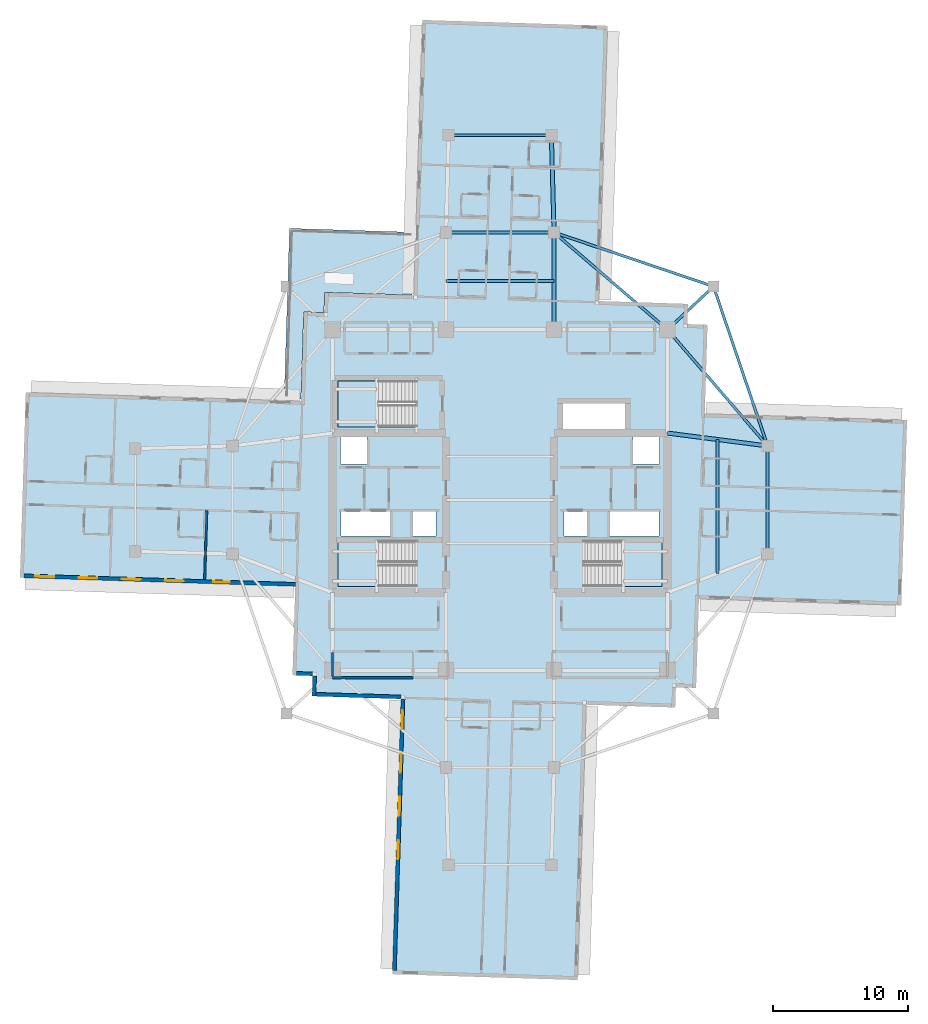
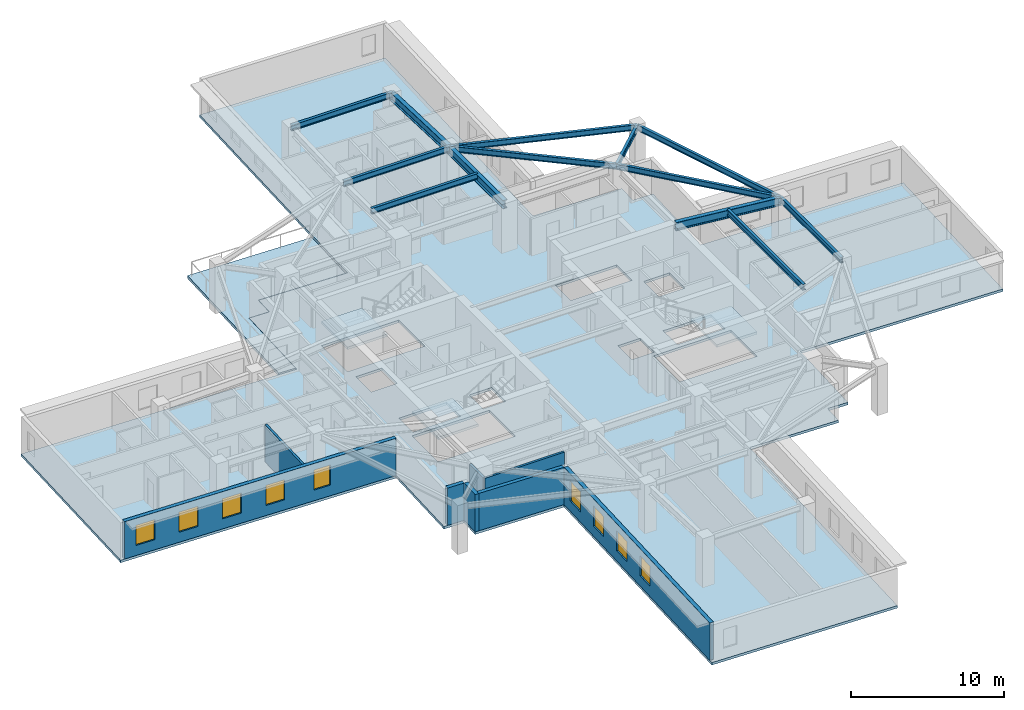
# One storey, part 2 of 13: 13 beams, 9 windows, 8 walls, 5 slabs, 9 openings, 3 elements without a shape of their own.
"""IFC4 building model written with IfcOpenShell, lengths in metres."""

from ifc_helpers import new_model, si_unit, direction, frame, frame_2d, origin, origin_2d, place, context, subcontext, project, spatial, polyline, rectangle, i_section, outline, extrude, material, layer, layer_set, material_profile, profile_set, type_object, element, fill, aggregate, save


model = new_model("IFC4")

# Units and contexts
model_context = context("Model", 3, precision=1e-05, world=origin(), true_north=direction((0.0, 1.0)))
body_context = subcontext(model_context, "Body", "Model", "MODEL_VIEW")
ifc_project = project(units=[si_unit("LENGTHUNIT", "METRE"), si_unit("AREAUNIT", "SQUARE_METRE"), si_unit("VOLUMEUNIT", "CUBIC_METRE"), si_unit("PLANEANGLEUNIT", "RADIAN"), si_unit("MASSUNIT", "GRAM", prefix="KILO")], contexts=[model_context])

# Site, building, storey
site_placement = place(None, origin())
site = spatial("IfcSite", under=ifc_project, at=site_placement, CompositionType="ELEMENT")
building_placement = place(site_placement, origin())
building = spatial("IfcBuilding", under=site, at=building_placement, Name="Qingluan Cross Belvedere", CompositionType="ELEMENT")
storey_placement = place(building_placement, frame((0.0, 0.0, 152.699951171875)))
storey = spatial("IfcBuildingStorey", under=building, at=storey_placement, Name="L38", CompositionType="ELEMENT", Elevation=152.699951171875)

# Beams
ifc_material_1 = material(Name="Steel Q420GJB", Category="steel")
ifc_material_profile_1 = material_profile(ifc_material_1, i_section(OverallWidth=0.199951171875, OverallDepth=0.449951171875, WebThickness=0.009033203125, FlangeThickness=0.013916015625, FilletRadius=0.01611328125, at=origin_2d()), Name="HN450x200x9x14")
ifc_profile_set_1 = profile_set([ifc_material_profile_1], Name="Steel Q420GJB")
beam_type_1 = type_object("IfcBeamType", Name="Steel_Beam_HN450x200x9x14", PredefinedType="JOIST", material=ifc_profile_set_1)
beam_1_placement = place(storey_placement, frame((12.39990234375, 12.60009765625, 3.47509765625), z_axis=(0.728219948308, 0.685343495546, 0.0), x_axis=(-0.685343495546, 0.728219948308, 0.0)))
element("IfcBeam", 1, at=beam_1_placement, inside=storey, type_object=beam_type_1, Name="Corner beam 1 L38-RNE", PredefinedType="JOIST", context=body_context, shape_type="SweptSolid", body=[
    extrude(i_section(OverallWidth=0.199951171875, OverallDepth=0.449951171875, WebThickness=0.009033203125, FlangeThickness=0.013916015625, FilletRadius=0.01611328125, at=origin_2d()), origin(), (0.0, 0.0, 1.0), 4.669189453125),
])
for number, where, z_axis, x_axis, name in (
    (2, (15.800048828125, 15.800048828125, 3.47509765625), (-0.947066283324, 0.321038089628, 0.0), (-0.321038089628, -0.947066283324, 0.0), "Corner beam 2 L38-RNE"),
    (3, (15.800048828125, 15.800048828125, 3.47509765625), (0.321038089628, -0.947066283324, 0.0), (0.947066283324, 0.321038089628, 0.0), "Corner beam 3 L38-RNE"),
):
    element("IfcBeam", number, at=place(storey_placement, frame(where, z_axis=z_axis, x_axis=x_axis)), inside=storey, type_object=beam_type_1, Name=name, PredefinedType="JOIST", context=body_context, shape_type="SweptSolid", body=[
        extrude(i_section(OverallWidth=0.199951171875, OverallDepth=0.449951171875, WebThickness=0.009033203125, FlangeThickness=0.013916015625, FilletRadius=0.01611328125, at=origin_2d()), origin(), (0.0, 0.0, 1.0), 12.45947265625),
    ])
beam_2_placement = place(storey_placement, frame((12.39990234375, 12.60009765625, 3.47509765625), z_axis=(0.652245077546, -0.75800815221, 0.0), x_axis=(0.75800815221, 0.652245077546, 0.0)))
element("IfcBeam", 4, at=beam_2_placement, inside=storey, type_object=beam_type_1, Name="Corner beam 4 L38-RNE", PredefinedType="JOIST", context=body_context, shape_type="SweptSolid", body=[
    extrude(i_section(OverallWidth=0.199951171875, OverallDepth=0.449951171875, WebThickness=0.009033203125, FlangeThickness=0.013916015625, FilletRadius=0.01611328125, at=origin_2d()), origin(), (0.0, 0.0, 1.0), 11.345703125),
])
beam_3_placement = place(storey_placement, frame((12.39990234375, 12.60009765625, 3.47509765625), z_axis=(-0.759255044656, 0.650793190779, 0.0), x_axis=(-0.650793190779, -0.759255044656, 0.0)))
element("IfcBeam", 5, at=beam_3_placement, inside=storey, type_object=beam_type_1, Name="Corner beam 5 L38-RNE", PredefinedType="JOIST", context=body_context, shape_type="SweptSolid", body=[
    extrude(i_section(OverallWidth=0.199951171875, OverallDepth=0.449951171875, WebThickness=0.009033203125, FlangeThickness=0.013916015625, FilletRadius=0.01611328125, at=origin_2d()), origin(), (0.0, 0.0, 1.0), 11.063232421875),
])
beam_4_placement = place(storey_placement, frame((19.800048828125, -4.0, 3.47509765625), z_axis=(0.0, 1.0, 0.0), x_axis=(-1.0, 0.0, 0.0)))
element("IfcBeam", 6, at=beam_4_placement, inside=storey, type_object=beam_type_1, Name="Arm E tie L38", PredefinedType="JOIST", context=body_context, shape_type="SweptSolid", body=[
    extrude(i_section(OverallWidth=0.199951171875, OverallDepth=0.449951171875, WebThickness=0.009033203125, FlangeThickness=0.013916015625, FilletRadius=0.01611328125, at=origin_2d()), origin(), (0.0, 0.0, 1.0), 8.0),
])
beam_5_placement = place(storey_placement, frame((16.10009765625, -5.425048828125, 3.47509765625), z_axis=(0.0, 1.0, 0.0), x_axis=(-1.0, 0.0, 0.0)))
element("IfcBeam", 7, at=beam_5_placement, inside=storey, type_object=beam_type_1, Name="Arm E beam L38", PredefinedType="JOIST", context=body_context, shape_type="SweptSolid", body=[
    extrude(i_section(OverallWidth=0.199951171875, OverallDepth=0.449951171875, WebThickness=0.009033203125, FlangeThickness=0.013916015625, FilletRadius=0.01611328125, at=origin_2d()), origin(), (0.0, 0.0, 1.0), 9.900146484375),
])
for number, where, z_axis, x_axis, name in (
    (8, (-4.0, 19.800048828125, 3.47509765625), (1.0, 0.0, 0.0), (0.0, 1.0, 0.0), "Arm N tie L38"),
    (9, (-4.0, 16.199951171875, 3.47509765625), (1.0, 0.0, 0.0), (0.0, 1.0, 0.0), "Arm N beam L38"),
):
    element("IfcBeam", number, at=place(storey_placement, frame(where, z_axis=z_axis, x_axis=x_axis)), inside=storey, type_object=beam_type_1, Name=name, PredefinedType="JOIST", context=body_context, shape_type="SweptSolid", body=[
        extrude(i_section(OverallWidth=0.199951171875, OverallDepth=0.449951171875, WebThickness=0.009033203125, FlangeThickness=0.013916015625, FilletRadius=0.01611328125, at=origin_2d()), origin(), (0.0, 0.0, 1.0), 8.0),
    ])
beam_6_placement = place(storey_placement, frame((-3.800048828125, 27.0, 3.47509765625), z_axis=(1.0, 0.0, 0.0), x_axis=(0.0, 1.0, 0.0)))
element("IfcBeam", 10, at=beam_6_placement, inside=storey, type_object=beam_type_1, Name="Arm N tip transverse beam L38", PredefinedType="JOIST", context=body_context, shape_type="SweptSolid", body=[
    extrude(i_section(OverallWidth=0.199951171875, OverallDepth=0.449951171875, WebThickness=0.009033203125, FlangeThickness=0.013916015625, FilletRadius=0.01611328125, at=origin_2d()), origin(), (0.0, 0.0, 1.0), 7.60009765625),
])
ifc_material_2 = material(Name="Steel Q420GJB", Category="steel")
ifc_material_profile_2 = material_profile(ifc_material_2, i_section(OverallWidth=0.300048828125, OverallDepth=0.64990234375, WebThickness=0.014404296875, FlangeThickness=0.02587890625, FilletRadius=0.027099609375, at=origin_2d()), Name="HEB650")
ifc_profile_set_2 = profile_set([ifc_material_profile_2], Name="Steel Q420GJB")
beam_type_2 = type_object("IfcBeamType", Name="Steel_Girder_HEB650", PredefinedType="USERDEFINED", material=ifc_profile_set_2)
beam_7_placement = place(storey_placement, frame((12.39990234375, 4.949951171875, 3.375), z_axis=(0.991861120628, -0.12732445714, 0.0), x_axis=(0.12732445714, 0.991861120628, 0.0)))
element("IfcBeam", 11, at=beam_7_placement, inside=storey, type_object=beam_type_2, Name="Arm E radial girder B L38", ObjectType="GIRDER", PredefinedType="USERDEFINED", context=body_context, shape_type="SweptSolid", body=[
    extrude(i_section(OverallWidth=0.300048828125, OverallDepth=0.64990234375, WebThickness=0.014404296875, FlangeThickness=0.02587890625, FilletRadius=0.027099609375, at=origin_2d()), origin(), (0.0, 0.0, 1.0), 7.4609375),
])
beam_8_placement = place(storey_placement, frame((4.0, 12.60009765625, 3.375), z_axis=(0.0, 1.0, 0.0), x_axis=(-1.0, 0.0, 0.0)))
element("IfcBeam", 12, at=beam_8_placement, inside=storey, type_object=beam_type_2, Name="Arm N radial girder B L38", ObjectType="GIRDER", PredefinedType="USERDEFINED", context=body_context, shape_type="SweptSolid", body=[
    extrude(i_section(OverallWidth=0.300048828125, OverallDepth=0.64990234375, WebThickness=0.014404296875, FlangeThickness=0.02587890625, FilletRadius=0.027099609375, at=origin_2d()), origin(), (0.0, 0.0, 1.0), 7.199951171875),
])
beam_9_placement = place(storey_placement, frame((4.0, 19.800048828125, 3.375), z_axis=(-0.027760481514, 0.999614603568, 0.0), x_axis=(-0.999614603568, -0.027760481514, 0.0)))
element("IfcBeam", 13, at=beam_9_placement, inside=storey, type_object=beam_type_2, Name="Arm N outer radial girder B L38", ObjectType="GIRDER", PredefinedType="USERDEFINED", context=body_context, shape_type="SweptSolid", body=[
    extrude(i_section(OverallWidth=0.300048828125, OverallDepth=0.64990234375, WebThickness=0.014404296875, FlangeThickness=0.02587890625, FilletRadius=0.027099609375, at=origin_2d()), origin(), (0.0, 0.0, 1.0), 7.20263671875),
])

# Slab
ifc_material_3 = material(Name="Concrete C40", Category="concrete")
ifc_layer_1 = layer(ifc_material_3, 0.199951171875, Name="FloorSlab_200")
ifc_layer_set_1 = layer_set([ifc_layer_1], Name="Concrete C40")
slab_type_1 = type_object("IfcSlabType", Name="FloorSlab_200", PredefinedType="FLOOR", material=ifc_layer_set_1)
slab_1_placement = place(storey_placement, frame((0.0, 0.0, -0.199951171875)))
element("IfcSlab", 14, at=slab_1_placement, inside=storey, type_object=slab_type_1, Name="Structural floor slab L38", PredefinedType="FLOOR", context=body_context, shape_type="SweptSolid", body=[
    extrude(outline(polyline([(5.747314453125, -35.51806640625), (6.38720703125, -15.148193359375), (12.964111328125, -15.354736328125), (13.01123046875, -13.85546875), (14.510498046875, -13.902587890625), (14.71728515625, -7.325927734375), (29.689697265625, -7.79638671875), (30.12060546875, 5.916748046875), (15.148193359375, 6.38720703125), (15.354736328125, 12.964111328125), (13.85546875, 13.01123046875), (13.902587890625, 14.510498046875), (7.325927734375, 14.71728515625), (7.966064453125, 35.087158203125), (-5.747314453125, 35.51806640625), (-6.38720703125, 15.148193359375), (-12.964111328125, 15.354736328125), (-13.01123046875, 13.85546875), (-14.510498046875, 13.902587890625), (-14.71728515625, 7.325927734375), (-35.087158203125, 7.966064453125), (-35.51806640625, -5.747314453125), (-15.148193359375, -6.38720703125), (-15.354736328125, -12.964111328125), (-13.85546875, -13.01123046875), (-13.902587890625, -14.510498046875), (-7.325927734375, -14.71728515625), (-7.966064453125, -35.087158203125), (5.747314453125, -35.51806640625)]), holes=[polyline([(-12.0, -3.0), (-6.179931640625, -3.0), (-6.179931640625, -6.39990234375), (-12.0, -6.39990234375), (-12.0, -3.0)]), polyline([(6.179931640625, -3.0), (12.0, -3.0), (12.0, -6.39990234375), (6.179931640625, -6.39990234375), (6.179931640625, -3.0)]), polyline([(-12.0, 8.820068359375), (-6.179931640625, 8.820068359375), (-6.179931640625, 5.419921875), (-12.0, 5.419921875), (-12.0, 8.820068359375)]), polyline([(-11.800048828125, 4.64990234375), (-9.85009765625, 4.64990234375), (-9.85009765625, 2.64990234375), (-11.800048828125, 2.64990234375), (-11.800048828125, 4.64990234375)]), polyline([(9.85009765625, 4.64990234375), (11.800048828125, 4.64990234375), (11.800048828125, 2.64990234375), (9.85009765625, 2.64990234375), (9.85009765625, 4.64990234375)]), polyline([(-11.75, -0.840087890625), (-8.14990234375, -0.840087890625), (-8.14990234375, -2.659912109375), (-11.75, -2.659912109375), (-11.75, -0.840087890625)]), polyline([(-6.449951171875, -0.840087890625), (-4.75, -0.840087890625), (-4.75, -2.659912109375), (-6.449951171875, -2.659912109375), (-6.449951171875, -0.840087890625)]), polyline([(4.75, -0.840087890625), (6.449951171875, -0.840087890625), (6.449951171875, -2.659912109375), (4.75, -2.659912109375), (4.75, -0.840087890625)]), polyline([(8.14990234375, -0.840087890625), (11.75, -0.840087890625), (11.75, -2.659912109375), (8.14990234375, -2.659912109375), (8.14990234375, -0.840087890625)]), polyline([(4.64990234375, 7.14990234375), (9.25, 7.14990234375), (9.25, 5.14990234375), (4.64990234375, 5.14990234375), (4.64990234375, 7.14990234375)])]), origin(), (0.0, 0.0, 1.0), 0.199951171875),
])

# Stair, slab
ifc_material_4 = material(Name="Concrete C40", Category="concrete")
stair_type = type_object("IfcStairType", Name="CoreDoglegStair_1620", PredefinedType="HALF_TURN_STAIR", material=ifc_material_4)
stair_1_placement = place(storey_placement, origin())
stair_1 = element("IfcStair", 15, at=stair_1_placement, inside=storey, type_object=stair_type, Name="L38 ST1", PredefinedType="HALF_TURN_STAIR")
ifc_material_5 = material(Name="Concrete C40", Category="concrete")
ifc_layer_2 = layer(ifc_material_5, 0.179931640625, Name="StairLandingSlab_180")
ifc_layer_set_2 = layer_set([ifc_layer_2], Name="Concrete C40")
slab_type_2 = type_object("IfcSlabType", Name="StairLandingSlab_180", PredefinedType="LANDING", material=ifc_layer_set_2)
slab_2_placement = place(storey_placement, frame((0.0, 0.0, 1.75)))
slab_2 = element("IfcSlab", 16, at=slab_2_placement, type_object=slab_type_2, Name="ST1 landing 1", PredefinedType="LANDING", context=body_context, shape_type="SweptSolid", body=[
    extrude(outline(polyline([(-8.97998046875, -3.0), (-12.0, -3.0), (-12.0, -6.39990234375), (-8.97998046875, -6.39990234375), (-8.97998046875, -3.0)])), origin(), (0.0, 0.0, 1.0), 0.199951171875),
])
aggregate(stair_1, [slab_2])

stair_2_placement = place(storey_placement, origin())
stair_2 = element("IfcStair", 17, at=stair_2_placement, inside=storey, type_object=stair_type, Name="L38 ST2", PredefinedType="HALF_TURN_STAIR")
slab_3_placement = place(storey_placement, frame((0.0, 0.0, 1.75)))
slab_3 = element("IfcSlab", 18, at=slab_3_placement, type_object=slab_type_2, Name="ST2 landing 1", PredefinedType="LANDING", context=body_context, shape_type="SweptSolid", body=[
    extrude(outline(polyline([(8.97998046875, -6.39990234375), (12.0, -6.39990234375), (12.0, -3.0), (8.97998046875, -3.0), (8.97998046875, -6.39990234375)])), origin(), (0.0, 0.0, 1.0), 0.199951171875),
])
aggregate(stair_2, [slab_3])

stair_3_placement = place(storey_placement, origin())
stair_3 = element("IfcStair", 19, at=stair_3_placement, inside=storey, type_object=stair_type, Name="L38 ST3", PredefinedType="HALF_TURN_STAIR")
slab_4_placement = place(storey_placement, frame((0.0, 0.0, 1.75)))
slab_4 = element("IfcSlab", 20, at=slab_4_placement, type_object=slab_type_2, Name="ST3 landing 1", PredefinedType="LANDING", context=body_context, shape_type="SweptSolid", body=[
    extrude(outline(polyline([(-8.97998046875, 8.820068359375), (-12.0, 8.820068359375), (-12.0, 5.419921875), (-8.97998046875, 5.419921875), (-8.97998046875, 8.820068359375)])), origin(), (0.0, 0.0, 1.0), 0.199951171875),
])
aggregate(stair_3, [slab_4])

# Slab
ifc_material_6 = material(Name="Concrete C40", Category="concrete")
ifc_layer_3 = layer(ifc_material_6, 0.219970703125, Name="TerraceSlab_220")
ifc_layer_set_3 = layer_set([ifc_layer_3], Name="Concrete C40")
slab_type_3 = type_object("IfcSlabType", Name="TerraceSlab_220", PredefinedType="FLOOR", material=ifc_layer_set_3)
slab_5_placement = place(storey_placement, frame((0.0, 0.0, -0.219970703125)))
element("IfcSlab", 21, at=slab_5_placement, inside=storey, type_object=slab_type_3, Name="Spiralling winter-garden terrace slab L38", PredefinedType="FLOOR", context=body_context, shape_type="SweptSolid", body=[
    extrude(outline(polyline([(-14.72265625, 7.466064453125), (-14.5185546875, 13.908447265625), (-13.02099609375, 13.86572265625), (-12.97412109375, 15.35498046875), (-12.9658203125, 15.36474609375), (-6.527099609375, 15.16259765625), (-6.380859375, 19.810302734375), (-15.576416015625, 20.09912109375), (-15.97216796875, 7.50537109375), (-14.72265625, 7.466064453125)])), origin(), (0.0, 0.0, 1.0), 0.219970703125),
])

# Walls
ifc_material_7 = material(Name="Gypsum plasterboard on steel stud acoustic partition", Category="steel")
ifc_layer_4 = layer(ifc_material_7, 0.159912109375, Name="CorridorPartition_160")
ifc_layer_set_4 = layer_set([ifc_layer_4], Name="Gypsum plasterboard on steel stud acoustic partition")
wall_type_1 = type_object("IfcWallType", Name="CorridorPartition_160", PredefinedType="PARTITIONING", material=ifc_layer_set_4)
wall_1_placement = place(storey_placement, frame((-12.39990234375, -13.14990234375, 0.0), z_axis=(0.0, 0.0, 1.0), x_axis=(1.0, 0.0, 0.0)))
element("IfcWall", 22, at=wall_1_placement, inside=storey, type_object=wall_type_1, Name="Partition L38:q_sw1:S", PredefinedType="PARTITIONING", context=body_context, shape_type="SweptSolid", body=[
    extrude(rectangle(XDim=5.949951171875, YDim=0.159912109375, at=frame_2d((2.97509765625, 0.0))), origin(), (0.0, 0.0, 1.0), 2.9599609375),
])
wall_2_placement = place(storey_placement, frame((-12.39990234375, -13.06494140625, 0.0), z_axis=(0.0, 0.0, 1.0), x_axis=(0.0, 1.0, 0.0)))
element("IfcWall", 23, at=wall_2_placement, inside=storey, type_object=wall_type_1, Name="Partition L38:q_sw1:W", PredefinedType="PARTITIONING", context=body_context, shape_type="SweptSolid", body=[
    extrude(rectangle(XDim=1.780029296875, YDim=0.159912109375, at=frame_2d((0.89013671875, 0.0))), origin(), (0.0, 0.0, 1.0), 2.9599609375),
])
wall_3_placement = place(storey_placement, frame((-21.695556640625, -0.7587890625, 0.0), z_axis=(0.0, 0.0, 1.0), x_axis=(-0.031396631422, -0.999507004245, 0.0)))
element("IfcWall", 24, at=wall_3_placement, inside=storey, type_object=wall_type_1, Name="Partition L38:W:d1_0", PredefinedType="PARTITIONING", context=body_context, shape_type="SweptSolid", body=[
    extrude(rectangle(XDim=5.132080078125, YDim=0.159912109375, at=frame_2d((2.56591796875, 0.0))), origin(), (0.0, 0.0, 1.0), 2.9599609375),
])

# Wall, openings, windows
ifc_material_8 = material(Name="Precast concrete C45", Category="concrete")
ifc_layer_5 = layer(ifc_material_8, 0.280029296875, Name="PrecastFacadeWall_280")
ifc_layer_set_5 = layer_set([ifc_layer_5], Name="Precast concrete C45")
wall_type_2 = type_object("IfcWallType", Name="PrecastFacadeWall_280", PredefinedType="STANDARD", material=ifc_layer_set_5)
wall_4_placement = place(storey_placement, frame((-35.23388671875, -5.6162109375, 0.0), z_axis=(0.0, 0.0, 1.0), x_axis=(0.999506955354, -0.031398187845, 0.0)))
wall_4 = element("IfcWall", 25, at=wall_4_placement, inside=storey, type_object=wall_type_2, Name="Facade wall L38-WB", PredefinedType="STANDARD", context=body_context, shape_type="SweptSolid", body=[
    extrude(rectangle(XDim=20.10009765625, YDim=0.280029296875, at=frame_2d((10.050048828125, 0.0))), origin(), (0.0, 0.0, 1.0), 2.969970703125),
])
opening_1_placement = place(wall_4_placement, frame((0.85009765625, 0.0, 0.800048828125)))
opening_1 = element("IfcOpeningElement", 26, at=opening_1_placement, cuts=wall_4, Name="Opening W-01", PredefinedType="OPENING", context=body_context, shape_type="SweptSolid", body=[
    extrude(rectangle(XDim=1.39990234375, YDim=1.60009765625, at=frame_2d((0.699951171875, 0.800048828125))), frame((0.0, 0.14990234375, 0.0), z_axis=(0.0, -1.0, 0.0), x_axis=(1.0, 0.0, 0.0)), (0.0, 0.0, 1.0), 0.300048828125),
])
opening_2_placement = place(wall_4_placement, frame((4.050048828125, 0.0, 0.800048828125)))
opening_2 = element("IfcOpeningElement", 27, at=opening_2_placement, cuts=wall_4, Name="Opening W-01", PredefinedType="OPENING", context=body_context, shape_type="SweptSolid", body=[
    extrude(rectangle(XDim=1.39990234375, YDim=1.60009765625, at=frame_2d((0.699951171875, 0.800048828125))), frame((0.0, 0.14990234375, 0.0), z_axis=(0.0, -1.0, 0.0), x_axis=(1.0, 0.0, 0.0)), (0.0, 0.0, 1.0), 0.300048828125),
])
opening_3_placement = place(wall_4_placement, frame((7.25, 0.0, 0.800048828125)))
opening_3 = element("IfcOpeningElement", 28, at=opening_3_placement, cuts=wall_4, Name="Opening W-01", PredefinedType="OPENING", context=body_context, shape_type="SweptSolid", body=[
    extrude(rectangle(XDim=1.39990234375, YDim=1.60009765625, at=frame_2d((0.699951171875, 0.800048828125))), frame((0.0, 0.14990234375, 0.0), z_axis=(0.0, -1.0, 0.0), x_axis=(1.0, 0.0, 0.0)), (0.0, 0.0, 1.0), 0.300048828125),
])
opening_4_placement = place(wall_4_placement, frame((10.449951171875, 0.0, 0.800048828125)))
opening_4 = element("IfcOpeningElement", 29, at=opening_4_placement, cuts=wall_4, Name="Opening W-01", PredefinedType="OPENING", context=body_context, shape_type="SweptSolid", body=[
    extrude(rectangle(XDim=1.39990234375, YDim=1.60009765625, at=frame_2d((0.699951171875, 0.800048828125))), frame((0.0, 0.14990234375, 0.0), z_axis=(0.0, -1.0, 0.0), x_axis=(1.0, 0.0, 0.0)), (0.0, 0.0, 1.0), 0.300048828125),
])
opening_5_placement = place(wall_4_placement, frame((14.034912109375, 0.0, 0.85009765625)))
opening_5 = element("IfcOpeningElement", 30, at=opening_5_placement, cuts=wall_4, Name="Opening W-02", PredefinedType="OPENING", context=body_context, shape_type="SweptSolid", body=[
    extrude(rectangle(XDim=1.199951171875, YDim=1.60009765625, at=frame_2d((0.60009765625, 0.800048828125))), frame((0.0, 0.14990234375, 0.0), z_axis=(0.0, -1.0, 0.0), x_axis=(1.0, 0.0, 0.0)), (0.0, 0.0, 1.0), 0.300048828125),
])
ifc_material_9 = material(Name="Thermally broken triple Low-E glass in aluminium frame", Category="aluminium")
window_type_1 = type_object("IfcWindowType", Name="TriRibbonWin_1200x1600", PartitioningType="SINGLE_PANEL", PredefinedType="WINDOW", material=ifc_material_9)
window_1_placement = place(opening_5_placement, origin())
window_1 = element("IfcWindow", 31, at=window_1_placement, inside=storey, type_object=window_type_1, Name="Corner hotel suite 3806 daylight window", OverallHeight=1.60009765625, OverallWidth=1.199951171875, PartitioningType="SINGLE_PANEL", PredefinedType="WINDOW", context=body_context, shape_type="SweptSolid", body=[
    extrude(rectangle(XDim=1.199951171875, YDim=1.60009765625, at=frame_2d((0.60009765625, 0.800048828125))), frame((0.0, 0.030029296875, 0.0), z_axis=(0.0, -1.0, 0.0), x_axis=(1.0, 0.0, 0.0)), (0.0, 0.0, 1.0), 0.06005859375),
])
fill(opening_5, window_1)
ifc_material_10 = material(Name="Thermally broken triple Low-E glass in aluminium frame", Category="aluminium")
window_type_2 = type_object("IfcWindowType", Name="TriRibbonWin_1400x1600", PartitioningType="SINGLE_PANEL", PredefinedType="WINDOW", material=ifc_material_10)
window_2_placement = place(opening_1_placement, origin())
window_2 = element("IfcWindow", 32, at=window_2_placement, inside=storey, type_object=window_type_2, Name="Ribbon window L38-WB-1", OverallHeight=1.60009765625, OverallWidth=1.39990234375, PartitioningType="SINGLE_PANEL", PredefinedType="WINDOW", context=body_context, shape_type="SweptSolid", body=[
    extrude(rectangle(XDim=1.39990234375, YDim=1.60009765625, at=frame_2d((0.699951171875, 0.800048828125))), frame((0.0, 0.030029296875, 0.0), z_axis=(0.0, -1.0, 0.0), x_axis=(1.0, 0.0, 0.0)), (0.0, 0.0, 1.0), 0.06005859375),
])
fill(opening_1, window_2)
window_3_placement = place(opening_2_placement, origin())
window_3 = element("IfcWindow", 33, at=window_3_placement, inside=storey, type_object=window_type_2, Name="Ribbon window L38-WB-2", OverallHeight=1.60009765625, OverallWidth=1.39990234375, PartitioningType="SINGLE_PANEL", PredefinedType="WINDOW", context=body_context, shape_type="SweptSolid", body=[
    extrude(rectangle(XDim=1.39990234375, YDim=1.60009765625, at=frame_2d((0.699951171875, 0.800048828125))), frame((0.0, 0.030029296875, 0.0), z_axis=(0.0, -1.0, 0.0), x_axis=(1.0, 0.0, 0.0)), (0.0, 0.0, 1.0), 0.06005859375),
])
fill(opening_2, window_3)
window_4_placement = place(opening_3_placement, origin())
window_4 = element("IfcWindow", 34, at=window_4_placement, inside=storey, type_object=window_type_2, Name="Ribbon window L38-WB-3", OverallHeight=1.60009765625, OverallWidth=1.39990234375, PartitioningType="SINGLE_PANEL", PredefinedType="WINDOW", context=body_context, shape_type="SweptSolid", body=[
    extrude(rectangle(XDim=1.39990234375, YDim=1.60009765625, at=frame_2d((0.699951171875, 0.800048828125))), frame((0.0, 0.030029296875, 0.0), z_axis=(0.0, -1.0, 0.0), x_axis=(1.0, 0.0, 0.0)), (0.0, 0.0, 1.0), 0.06005859375),
])
fill(opening_3, window_4)
window_5_placement = place(opening_4_placement, origin())
window_5 = element("IfcWindow", 35, at=window_5_placement, inside=storey, type_object=window_type_2, Name="Ribbon window L38-WB-4", OverallHeight=1.60009765625, OverallWidth=1.39990234375, PartitioningType="SINGLE_PANEL", PredefinedType="WINDOW", context=body_context, shape_type="SweptSolid", body=[
    extrude(rectangle(XDim=1.39990234375, YDim=1.60009765625, at=frame_2d((0.699951171875, 0.800048828125))), frame((0.0, 0.030029296875, 0.0), z_axis=(0.0, -1.0, 0.0), x_axis=(1.0, 0.0, 0.0)), (0.0, 0.0, 1.0), 0.06005859375),
])
fill(opening_4, window_5)

wall_5_placement = place(storey_placement, frame((-7.18603515625, -14.721435546875, 0.0), z_axis=(0.0, 0.0, 1.0), x_axis=(-0.031410322165, -0.999506574096, 0.0)))
wall_5 = element("IfcWall", 36, at=wall_5_placement, inside=storey, type_object=wall_type_2, Name="Facade wall L38-SA", PredefinedType="STANDARD", context=body_context, shape_type="SweptSolid", body=[
    extrude(rectangle(XDim=20.10009765625, YDim=0.280029296875, at=frame_2d((10.050048828125, 0.0))), origin(), (0.0, 0.0, 1.0), 2.969970703125),
])
opening_6_placement = place(wall_5_placement, frame((0.85009765625, 0.0, 0.800048828125)))
opening_6 = element("IfcOpeningElement", 37, at=opening_6_placement, cuts=wall_5, Name="Opening W-01", PredefinedType="OPENING", context=body_context, shape_type="SweptSolid", body=[
    extrude(rectangle(XDim=1.39990234375, YDim=1.60009765625, at=frame_2d((0.699951171875, 0.800048828125))), frame((0.0, 0.14990234375, 0.0), z_axis=(0.0, -1.0, 0.0), x_axis=(1.0, 0.0, 0.0)), (0.0, 0.0, 1.0), 0.300048828125),
])
opening_7_placement = place(wall_5_placement, frame((4.050048828125, 0.0, 0.800048828125)))
opening_7 = element("IfcOpeningElement", 38, at=opening_7_placement, cuts=wall_5, Name="Opening W-01", PredefinedType="OPENING", context=body_context, shape_type="SweptSolid", body=[
    extrude(rectangle(XDim=1.39990234375, YDim=1.60009765625, at=frame_2d((0.699951171875, 0.800048828125))), frame((0.0, 0.14990234375, 0.0), z_axis=(0.0, -1.0, 0.0), x_axis=(1.0, 0.0, 0.0)), (0.0, 0.0, 1.0), 0.300048828125),
])
opening_8_placement = place(wall_5_placement, frame((7.25, 0.0, 0.800048828125)))
opening_8 = element("IfcOpeningElement", 39, at=opening_8_placement, cuts=wall_5, Name="Opening W-01", PredefinedType="OPENING", context=body_context, shape_type="SweptSolid", body=[
    extrude(rectangle(XDim=1.39990234375, YDim=1.60009765625, at=frame_2d((0.699951171875, 0.800048828125))), frame((0.0, 0.14990234375, 0.0), z_axis=(0.0, -1.0, 0.0), x_axis=(1.0, 0.0, 0.0)), (0.0, 0.0, 1.0), 0.300048828125),
])
opening_9_placement = place(wall_5_placement, frame((10.449951171875, 0.0, 0.800048828125)))
opening_9 = element("IfcOpeningElement", 40, at=opening_9_placement, cuts=wall_5, Name="Opening W-01", PredefinedType="OPENING", context=body_context, shape_type="SweptSolid", body=[
    extrude(rectangle(XDim=1.39990234375, YDim=1.60009765625, at=frame_2d((0.699951171875, 0.800048828125))), frame((0.0, 0.14990234375, 0.0), z_axis=(0.0, -1.0, 0.0), x_axis=(1.0, 0.0, 0.0)), (0.0, 0.0, 1.0), 0.300048828125),
])
window_6_placement = place(opening_6_placement, origin())
window_6 = element("IfcWindow", 41, at=window_6_placement, inside=storey, type_object=window_type_2, Name="Ribbon window L38-SA-1", OverallHeight=1.60009765625, OverallWidth=1.39990234375, PartitioningType="SINGLE_PANEL", PredefinedType="WINDOW", context=body_context, shape_type="SweptSolid", body=[
    extrude(rectangle(XDim=1.39990234375, YDim=1.60009765625, at=frame_2d((0.699951171875, 0.800048828125))), frame((0.0, 0.030029296875, 0.0), z_axis=(0.0, -1.0, 0.0), x_axis=(1.0, 0.0, 0.0)), (0.0, 0.0, 1.0), 0.06005859375),
])
fill(opening_6, window_6)
window_7_placement = place(opening_7_placement, origin())
window_7 = element("IfcWindow", 42, at=window_7_placement, inside=storey, type_object=window_type_2, Name="Ribbon window L38-SA-2", OverallHeight=1.60009765625, OverallWidth=1.39990234375, PartitioningType="SINGLE_PANEL", PredefinedType="WINDOW", context=body_context, shape_type="SweptSolid", body=[
    extrude(rectangle(XDim=1.39990234375, YDim=1.60009765625, at=frame_2d((0.699951171875, 0.800048828125))), frame((0.0, 0.030029296875, 0.0), z_axis=(0.0, -1.0, 0.0), x_axis=(1.0, 0.0, 0.0)), (0.0, 0.0, 1.0), 0.06005859375),
])
fill(opening_7, window_7)
window_8_placement = place(opening_8_placement, origin())
window_8 = element("IfcWindow", 43, at=window_8_placement, inside=storey, type_object=window_type_2, Name="Ribbon window L38-SA-3", OverallHeight=1.60009765625, OverallWidth=1.39990234375, PartitioningType="SINGLE_PANEL", PredefinedType="WINDOW", context=body_context, shape_type="SweptSolid", body=[
    extrude(rectangle(XDim=1.39990234375, YDim=1.60009765625, at=frame_2d((0.699951171875, 0.800048828125))), frame((0.0, 0.030029296875, 0.0), z_axis=(0.0, -1.0, 0.0), x_axis=(1.0, 0.0, 0.0)), (0.0, 0.0, 1.0), 0.06005859375),
])
fill(opening_8, window_8)
window_9_placement = place(opening_9_placement, origin())
window_9 = element("IfcWindow", 44, at=window_9_placement, inside=storey, type_object=window_type_2, Name="Ribbon window L38-SA-4", OverallHeight=1.60009765625, OverallWidth=1.39990234375, PartitioningType="SINGLE_PANEL", PredefinedType="WINDOW", context=body_context, shape_type="SweptSolid", body=[
    extrude(rectangle(XDim=1.39990234375, YDim=1.60009765625, at=frame_2d((0.699951171875, 0.800048828125))), frame((0.0, 0.030029296875, 0.0), z_axis=(0.0, -1.0, 0.0), x_axis=(1.0, 0.0, 0.0)), (0.0, 0.0, 1.0), 0.06005859375),
])
fill(opening_9, window_9)

# Walls
wall_6_placement = place(storey_placement, frame((-15.070556640625, -12.8330078125, 0.0), z_axis=(0.0, 0.0, 1.0), x_axis=(0.999506398264, -0.031415916822, 0.0)))
element("IfcWall", 45, at=wall_6_placement, inside=storey, type_object=wall_type_2, Name="Corner wall L38-SW2", PredefinedType="STANDARD", context=body_context, shape_type="SweptSolid", body=[
    extrude(rectangle(XDim=1.219970703125, YDim=0.280029296875, at=frame_2d((0.60986328125, 0.0))), origin(), (0.0, 0.0, 1.0), 2.969970703125),
])
wall_7_placement = place(storey_placement, frame((-13.715576171875, -13.015625, 0.0), z_axis=(0.0, 0.0, 1.0), x_axis=(-0.031412596484, -0.999506502621, 0.0)))
element("IfcWall", 46, at=wall_7_placement, inside=storey, type_object=wall_type_2, Name="Corner wall L38-SW3", PredefinedType="STANDARD", context=body_context, shape_type="SweptSolid", body=[
    extrude(rectangle(XDim=1.5, YDim=0.280029296875, at=frame_2d((0.75, 0.0))), origin(), (0.0, 0.0, 1.0), 2.969970703125),
])
wall_8_placement = place(storey_placement, frame((-13.618408203125, -14.37939453125, 0.0), z_axis=(0.0, 0.0, 1.0), x_axis=(0.999507224741, -0.031389611199, 0.0)))
element("IfcWall", 47, at=wall_8_placement, inside=storey, type_object=wall_type_2, Name="Corner wall L38-SW4", PredefinedType="STANDARD", context=body_context, shape_type="SweptSolid", body=[
    extrude(rectangle(XDim=6.300048828125, YDim=0.280029296875, at=frame_2d((3.14990234375, 0.0))), origin(), (0.0, 0.0, 1.0), 2.969970703125),
])

save(model, "model.ifc")
